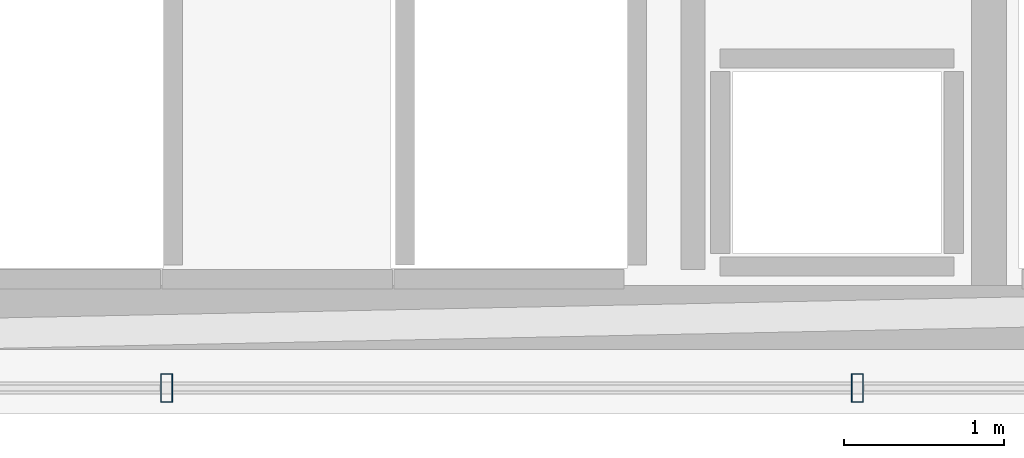
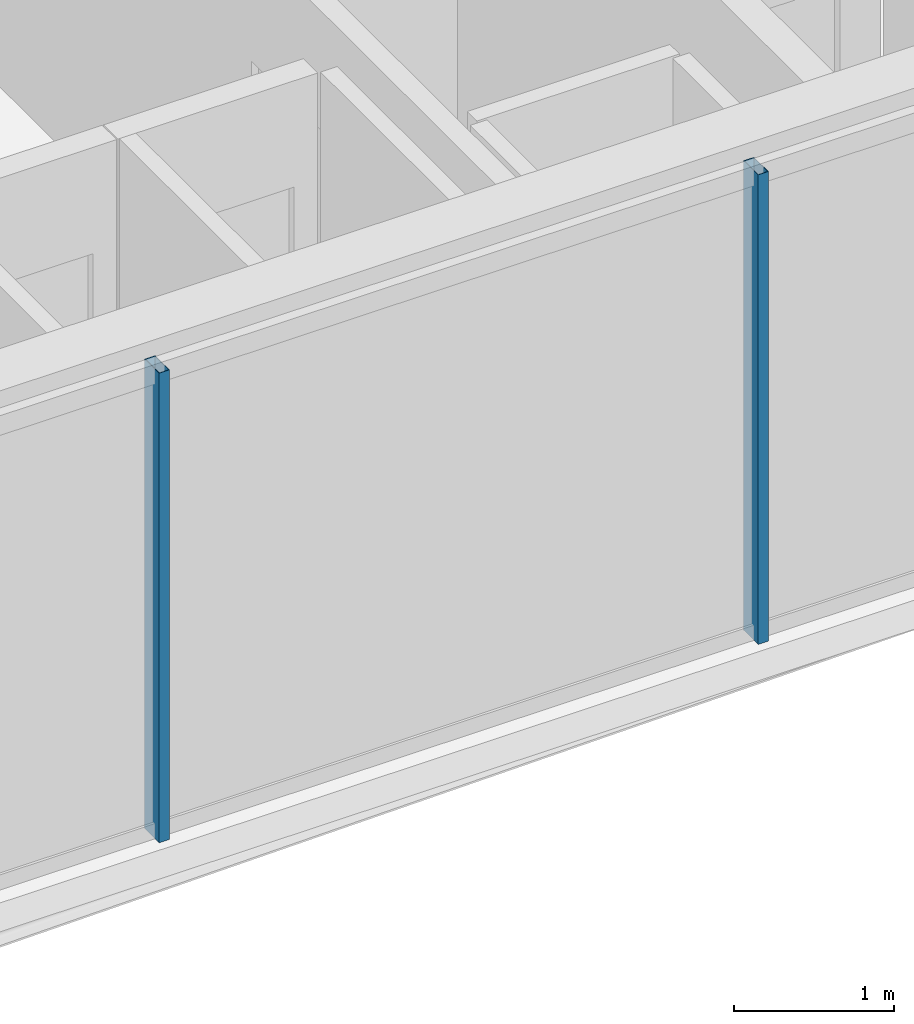
# One storey, part 8 of 30: 2 members, 1 element without a shape of its own.
"""IFC4 building model written with IfcOpenShell, lengths in metres."""

import ifcopenshell
import ifcopenshell.guid

model = None  # the IFC model being written
_history = None  # IfcOwnerHistory: only IFC2X3 demands one
_inside = {}  # id of a spatial element -> (the spatial element, [elements in it])
_under = {}  # id of a project, library or spatial element -> (it, [spatial elements below it])
_declared = {}  # id of a project -> (the project, [libraries it declares])
_typed = {}  # id of a type object -> (the type object, [elements of that type])
_made_of = {}  # id of a material, layer set ... -> (it, [elements and type objects made of it])


def new_model(schema):
    """Start an empty IFC model of exactly this schema.

    Asked for "IFC4X3", IfcOpenShell would pick the latest addendum, in which some entities
    have other attributes; the version numbers below select the first issue.
    IFC2X3 requires an IfcOwnerHistory on every rooted entity: one is made here for all.
    """
    global model, _history
    if schema == "IFC4X3":
        model = ifcopenshell.file(schema_version=(4, 3, 0, 0))
    else:
        model = ifcopenshell.file(schema=schema)
    _inside.clear()
    _under.clear()
    _declared.clear()
    _typed.clear()
    _made_of.clear()
    _history = None
    if model.schema == "IFC2X3":
        org = make("IfcOrganization", Name="unknown")
        user = make(
            "IfcPersonAndOrganization",
            ThePerson=make("IfcPerson", FamilyName="unknown"),
            TheOrganization=org,
        )
        app = make(
            "IfcApplication",
            ApplicationDeveloper=org,
            Version="unknown",
            ApplicationFullName="unknown",
            ApplicationIdentifier="unknown",
        )
        _history = make(
            "IfcOwnerHistory",
            OwningUser=user,
            OwningApplication=app,
            ChangeAction="ADDED",
            CreationDate=0,
        )
    return model


def make(cls, **values):
    """One entity of the class cls with the attributes given. An attribute that is None is left unset."""
    return model.create_entity(
        cls, **{name: value for name, value in values.items() if value is not None}
    )


def rooted(cls, **values):
    """An entity with a GlobalId (a new one), such as an element, a storey or a relation."""
    return make(cls, GlobalId=ifcopenshell.guid.new(), OwnerHistory=_history, **values)


def si_unit(unit_type, name, prefix=None):
    """IfcSIUnit, for example si_unit("LENGTHUNIT", "METRE", prefix="MILLI")."""
    return make("IfcSIUnit", UnitType=unit_type, Prefix=prefix, Name=name)


def assignment(units):
    """IfcUnitAssignment: the units of a project."""
    return None if units is None else make("IfcUnitAssignment", Units=units)


def point(xyz):
    """IfcCartesianPoint."""
    return None if xyz is None else make("IfcCartesianPoint", Coordinates=xyz)


def direction(xyz):
    """IfcDirection."""
    return None if xyz is None else make("IfcDirection", DirectionRatios=xyz)


def frame(location, z_axis=None, x_axis=None):
    """IfcAxis2Placement3D, a coordinate frame: its origin and axes. An axis left out is left unset."""
    return make(
        "IfcAxis2Placement3D",
        Location=point(location),
        Axis=direction(z_axis),
        RefDirection=direction(x_axis),
    )


def frame_2d(location, x_axis=None):
    """IfcAxis2Placement2D, a coordinate frame in the plane: its origin and x axis."""
    return make(
        "IfcAxis2Placement2D", Location=point(location), RefDirection=direction(x_axis)
    )


def origin():
    """The frame at (0, 0, 0) with its axes left unset."""
    return frame((0.0, 0.0, 0.0))


def origin_2d():
    """The frame at (0, 0) in the plane with its x axis left unset."""
    return frame_2d((0.0, 0.0))


def place(relative_to, where):
    """IfcLocalPlacement: puts the frame where relative to a parent placement (None: the world)."""
    return make(
        "IfcLocalPlacement", PlacementRelTo=relative_to, RelativePlacement=where
    )


def context(
    kind, dimensions, precision=None, world=None, true_north=None, identifier=None
):
    """IfcGeometricRepresentationContext, for example the 3D "Model" context."""
    return make(
        "IfcGeometricRepresentationContext",
        ContextIdentifier=identifier,
        ContextType=kind,
        CoordinateSpaceDimension=dimensions,
        Precision=precision,
        WorldCoordinateSystem=world,
        TrueNorth=true_north,
    )


def subcontext(parent, identifier, kind, view, scale=None):
    """IfcGeometricRepresentationSubContext, for example "Body" below "Model"."""
    return make(
        "IfcGeometricRepresentationSubContext",
        ContextIdentifier=identifier,
        ContextType=kind,
        ParentContext=parent,
        TargetScale=scale,
        TargetView=view,
    )


def project(units=None, contexts=None):
    """IfcProject with its units and contexts."""
    return rooted(
        "IfcProject",
        Name="project",
        RepresentationContexts=contexts,
        UnitsInContext=assignment(units),
    )


def spatial(cls, under=None, at=None, **own):
    """A site, building, storey or space (cls), placed at a placement, below another one or the project."""
    s = rooted(cls, ObjectPlacement=at, **own)
    if under is not None:
        _under.setdefault(under.id(), (under, []))[1].append(s)
    return s


def profile(cls, at=None, kind="AREA", **sizes):
    """A parametric profile (cls). Its sizes go by their IFC names, for example OverallWidth=200.0."""
    return make(cls, ProfileType=kind, Position=at, **sizes)


def hollow_rectangle(**sizes):
    """IfcRectangleHollowProfileDef."""
    return profile("IfcRectangleHollowProfileDef", **sizes)


def extrude(swept, where, along, depth):
    """IfcExtrudedAreaSolid: the profile swept, set in the frame where, extruded along a direction by depth."""
    return make(
        "IfcExtrudedAreaSolid",
        SweptArea=swept,
        Position=where,
        ExtrudedDirection=direction(along),
        Depth=depth,
    )


def shape(context_of_items, identifier, shape_type, items):
    """IfcShapeRepresentation: the items that make up one representation, for example the "Body"."""
    return make(
        "IfcShapeRepresentation",
        ContextOfItems=context_of_items,
        RepresentationIdentifier=identifier,
        RepresentationType=shape_type,
        Items=items,
    )


def material(Name=None, Category=None):
    """IfcMaterial."""
    return make("IfcMaterial", Name=Name, Category=Category)


def layer(
    of_material, thickness, ventilated=None, Name=None, Category=None, Priority=None
):
    """IfcMaterialLayer: one layer of a wall or slab, of a material (None: an air gap)."""
    return make(
        "IfcMaterialLayer",
        Material=of_material,
        LayerThickness=thickness,
        IsVentilated=ventilated,
        Name=Name,
        Category=Category,
        Priority=Priority,
    )


def layer_set(layers, Name=None):
    """IfcMaterialLayerSet."""
    return make("IfcMaterialLayerSet", MaterialLayers=layers, LayerSetName=Name)


def material_profile(
    of_material, cross_section, Name=None, Category=None, Priority=None
):
    """IfcMaterialProfile: a cross section and its material."""
    return make(
        "IfcMaterialProfile",
        Name=Name,
        Material=of_material,
        Profile=cross_section,
        Priority=Priority,
        Category=Category,
    )


def profile_set(profiles, Name=None, composite=None):
    """IfcMaterialProfileSet."""
    return make(
        "IfcMaterialProfileSet",
        Name=Name,
        MaterialProfiles=profiles,
        CompositeProfile=composite,
    )


def made_of(thing, what):
    """Note that an element or type object is made of a material, layer set ...; save() writes the relation."""
    if what is not None:
        _made_of.setdefault(what.id(), (what, []))[1].append(thing)
    return thing


def type_object(cls, material=None, **own):
    """A type object (cls), such as IfcWallType, which elements share."""
    return made_of(rooted(cls, **own), material)


def element(
    cls,
    number,
    at=None,
    inside=None,
    cuts=None,
    type_object=None,
    material=None,
    context=None,
    identifier="Body",
    shape_type=None,
    held_by="IfcProductDefinitionShape",
    body=None,
    shapes=None,
    **own,
):
    """One element of the class cls, such as IfcWall. Its Tag is "e" and its number.

    at: its placement. inside: the storey or other place that contains it. cuts: it is an
    opening in that element (IfcRelVoidsElement). A single representation is given by context,
    identifier, shape_type and body (its items); several are given by shapes. held_by: the class
    of the entity that holds the representations. save() writes the other relations.
    """
    e = rooted(cls, Tag="e%d" % number, ObjectPlacement=at, **own)
    if body is not None:
        shapes = [shape(context, identifier, shape_type, body)]
    if shapes is not None:
        e.Representation = make(held_by, Representations=shapes)
    if inside is not None:
        _inside.setdefault(inside.id(), (inside, []))[1].append(e)
    if cuts is not None:
        rooted(
            "IfcRelVoidsElement", RelatingBuildingElement=cuts, RelatedOpeningElement=e
        )
    if type_object is not None:
        _typed.setdefault(type_object.id(), (type_object, []))[1].append(e)
    return made_of(e, material)


def aggregate(whole, parts):
    """IfcRelAggregates: a whole, such as a stair, and the parts it consists of."""
    return rooted("IfcRelAggregates", RelatingObject=whole, RelatedObjects=parts)


def save(model, path):
    """Write the relations noted so far, then the file.

    IfcRelAggregates (storeys below a building ...), IfcRelContainedInSpatialStructure (elements
    in a storey), IfcRelDefinesByType, IfcRelAssociatesMaterial and IfcRelDeclares: one each for
    every whole, place, type object, material and project.
    """
    for whole, parts in _under.values():
        aggregate(whole, parts)
    for where, things in _inside.values():
        rooted(
            "IfcRelContainedInSpatialStructure",
            RelatedElements=things,
            RelatingStructure=where,
        )
    for kind, things in _typed.values():
        rooted("IfcRelDefinesByType", RelatedObjects=things, RelatingType=kind)
    for what, things in _made_of.values():
        rooted("IfcRelAssociatesMaterial", RelatedObjects=things, RelatingMaterial=what)
    for by, libraries in _declared.values():
        rooted("IfcRelDeclares", RelatingContext=by, RelatedDefinitions=libraries)
    model.write(path)


model = new_model("IFC4")

# Units and contexts
model_context = context("Model", 3, precision=1e-05, world=origin(), true_north=direction((0.0, 1.0)))
body_context = subcontext(model_context, "Body", "Model", "MODEL_VIEW")
ifc_project = project(units=[si_unit("LENGTHUNIT", "METRE"), si_unit("AREAUNIT", "SQUARE_METRE"), si_unit("VOLUMEUNIT", "CUBIC_METRE"), si_unit("PLANEANGLEUNIT", "RADIAN"), si_unit("MASSUNIT", "GRAM", prefix="KILO")], contexts=[model_context])

# Site, building, storey
site_placement = place(None, origin())
site = spatial("IfcSite", under=ifc_project, at=site_placement, CompositionType="ELEMENT")
building_placement = place(site_placement, origin())
building = spatial("IfcBuilding", under=site, at=building_placement, Name="Ndaravel Arena Tower", CompositionType="ELEMENT")
storey_placement = place(building_placement, frame((0.0, 0.0, 225.60009765625)))
storey = spatial("IfcBuildingStorey", under=building, at=storey_placement, Name="L54", CompositionType="ELEMENT", Elevation=225.60009765625)

# Curtain wall, members
ifc_material_1 = material(Name="Aluminium", Category="aluminium")
ifc_layer = layer(ifc_material_1, 0.179931640625)
ifc_layer_set = layer_set([ifc_layer], Name="Aluminium")
curtain_wall_type = type_object("IfcCurtainWallType", Name="CW-SYS-03", PredefinedType="NOTDEFINED", material=ifc_layer_set)
curtain_wall_placement = place(storey_placement, origin())
curtain_wall = element("IfcCurtainWall", 1, at=curtain_wall_placement, inside=storey, type_object=curtain_wall_type, Name="L54 Faceted Crystal Curtain Wall CW-L54-E01", PredefinedType="NOTDEFINED")
ifc_material_2 = material(Name="Aluminium", Category="aluminium")
ifc_material_profile = material_profile(ifc_material_2, hollow_rectangle(XDim=0.074951171875, YDim=0.179931640625, WallThickness=0.00390625, at=origin_2d()), Name="CW MULLION 75x180x4")
ifc_profile_set = profile_set([ifc_material_profile], Name="Aluminium")
member_type = type_object("IfcMemberType", Name="MEM-CW-MUL180", PredefinedType="MULLION", material=ifc_profile_set)
member_1_placement = place(storey_placement, frame((44.1591796875, 5.159912109375, 0.0), z_axis=(0.0, 0.0, 1.0), x_axis=(1.0, 0.0, 0.0)))
member_1 = element("IfcMember", 2, at=member_1_placement, type_object=member_type, Name="CW-L54-E01 Mullion 05", PredefinedType="MULLION", context=body_context, shape_type="SweptSolid", body=[
    extrude(hollow_rectangle(XDim=0.074951171875, YDim=0.179931640625, WallThickness=0.00390625, at=origin_2d()), origin(), (0.0, 0.0, 1.0), 3.579833984375),
])
member_2_placement = place(storey_placement, frame((48.477783203125, 5.159912109375, 0.0), z_axis=(0.0, 0.0, 1.0), x_axis=(1.0, 0.0, 0.0)))
member_2 = element("IfcMember", 3, at=member_2_placement, type_object=member_type, Name="CW-L54-E01 Mullion 06", PredefinedType="MULLION", context=body_context, shape_type="SweptSolid", body=[
    extrude(hollow_rectangle(XDim=0.074951171875, YDim=0.179931640625, WallThickness=0.00390625, at=origin_2d()), origin(), (0.0, 0.0, 1.0), 3.579833984375),
])
aggregate(curtain_wall, [member_1, member_2])

save(model, "model.ifc")
